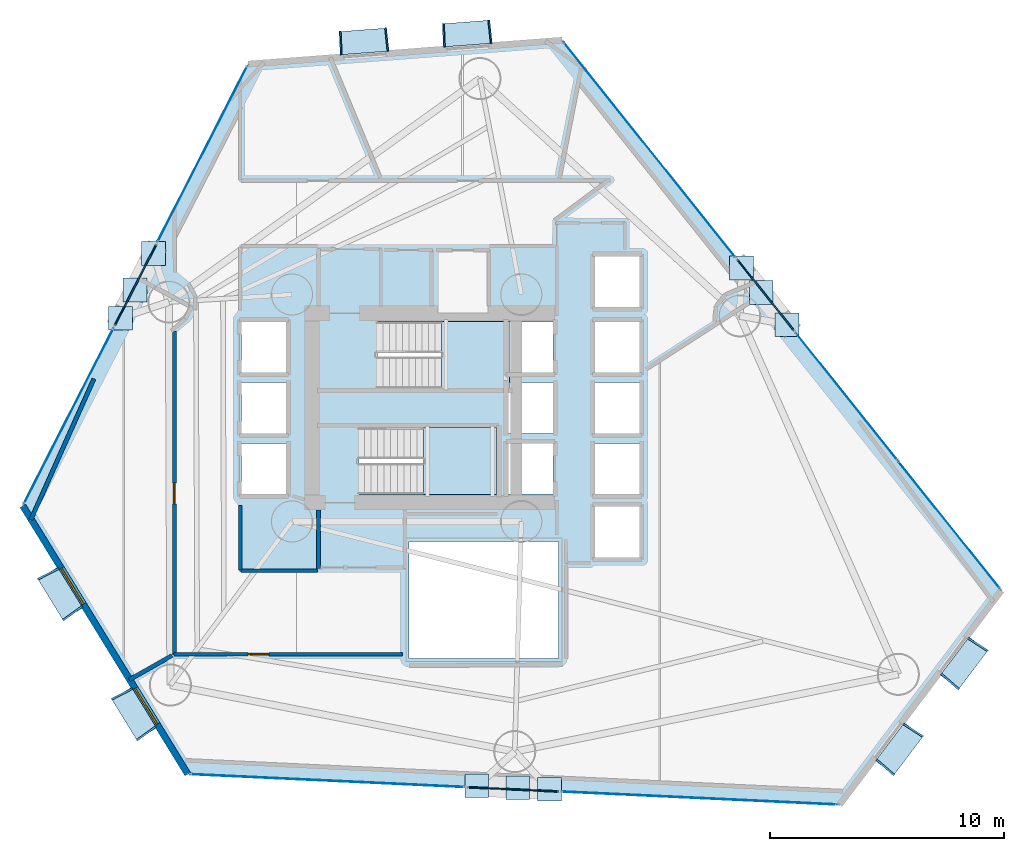
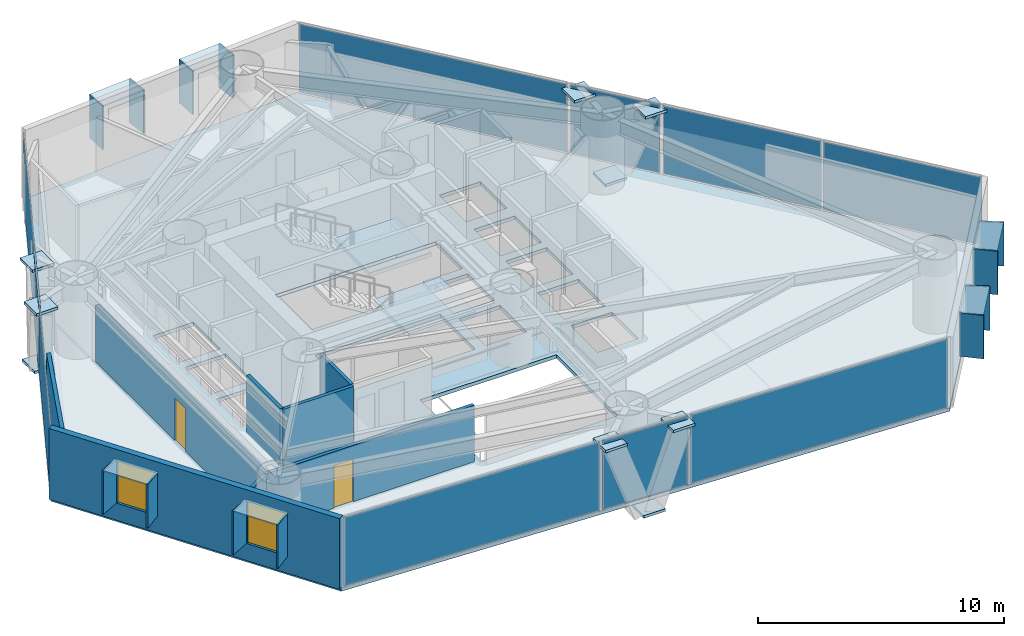
# One storey, part 16 of 23: 37 plates, 8 walls, 3 slabs, 2 doors, 2 windows, 4 openings, 11 elements without a shape of their own.
"""IFC4 building model written with IfcOpenShell, lengths in metres."""

from ifc_helpers import new_model, si_unit, direction, frame, frame_2d, origin, origin_2d, place, context, subcontext, project, spatial, polyline, rectangle, outline, extrude, material, layer, layer_set, type_object, element, fill, aggregate, save


model = new_model("IFC4")

# Units and contexts
model_context = context("Model", 3, precision=1e-05, world=origin(), true_north=direction((0.0, 1.0)))
body_context = subcontext(model_context, "Body", "Model", "MODEL_VIEW")
ifc_project = project(units=[si_unit("LENGTHUNIT", "METRE"), si_unit("AREAUNIT", "SQUARE_METRE"), si_unit("VOLUMEUNIT", "CUBIC_METRE"), si_unit("PLANEANGLEUNIT", "RADIAN"), si_unit("MASSUNIT", "GRAM", prefix="KILO")], contexts=[model_context])

# Site, building, storey
site_placement = place(None, origin())
site = spatial("IfcSite", under=ifc_project, at=site_placement, CompositionType="ELEMENT")
building_placement = place(site_placement, origin())
building = spatial("IfcBuilding", under=site, at=building_placement, Name="Qianvela Tower", CompositionType="ELEMENT")
storey_placement = place(building_placement, frame((0.0, 0.0, 33.10009765625)))
storey = spatial("IfcBuildingStorey", under=building, at=storey_placement, Name="L07", CompositionType="ELEMENT", Elevation=33.10009765625)

# Curtain wall, plate
ifc_material_1 = material(Name="Anodised Architectural Aluminium and Insulated Spandrel Panel", Category="aluminium")
ifc_layer_1 = layer(ifc_material_1, 0.179931640625)
ifc_layer_set_1 = layer_set([ifc_layer_1], Name="Anodised Architectural Aluminium and Insulated Spandrel Panel")
curtain_wall_type_1 = type_object("IfcCurtainWallType", Name="CW-BRACEBAY", PredefinedType="USERDEFINED", material=ifc_layer_set_1)
curtain_wall_1_placement = place(storey_placement, origin())
curtain_wall_1 = element("IfcCurtainWall", 1, at=curtain_wall_1_placement, inside=storey, type_object=curtain_wall_type_1, Name="L07 CW-BRACEBAY Curtain Wall 02B", ObjectType="CURTAIN_WALL_SYSTEM", PredefinedType="USERDEFINED")
ifc_material_2 = material(Name="Insulated Aluminium Spandrel Panel with Mineral-Wool Backpan", Category="aluminium")
ifc_layer_2 = layer(ifc_material_2, 0.06005859375)
ifc_layer_set_2 = layer_set([ifc_layer_2], Name="Insulated Aluminium Spandrel Panel with Mineral-Wool Backpan")
plate_type_1 = type_object("IfcPlateType", Name="CW-BRACEBAY-PNL", PredefinedType="CURTAIN_PANEL", material=ifc_layer_set_2)
plate_1_placement = place(storey_placement, frame((48.84326171875, 33.522705078125, 0.06494140625), z_axis=(0.0, 0.0, 1.0), x_axis=(-0.623974568634, 0.781444647879, 0.0)))
plate_1 = element("IfcPlate", 2, at=plate_1_placement, type_object=plate_type_1, Name="CW-9 panel 1.1", PredefinedType="CURTAIN_PANEL", context=body_context, shape_type="SweptSolid", body=[
    extrude(rectangle(XDim=3.89990234375, YDim=0.06005859375, at=origin_2d()), origin(), (0.0, 0.0, 1.0), 3.389892578125),
])
aggregate(curtain_wall_1, [plate_1])

curtain_wall_2_placement = place(storey_placement, origin())
curtain_wall_2 = element("IfcCurtainWall", 3, at=curtain_wall_2_placement, inside=storey, type_object=curtain_wall_type_1, Name="L07 CW-BRACEBAY Curtain Wall 04B", ObjectType="CURTAIN_WALL_SYSTEM", PredefinedType="USERDEFINED")
plate_2_placement = place(storey_placement, frame((21.912841796875, 33.95654296875, 0.06494140625), z_axis=(0.0, 0.0, 1.0), x_axis=(-0.454612576201, -0.890689286766, 0.0)))
plate_2 = element("IfcPlate", 4, at=plate_2_placement, type_object=plate_type_1, Name="CW-9 panel 1.1", PredefinedType="CURTAIN_PANEL", context=body_context, shape_type="SweptSolid", body=[
    extrude(rectangle(XDim=3.900146484375, YDim=0.06005859375, at=origin_2d()), origin(), (0.0, 0.0, 1.0), 3.389892578125),
])
aggregate(curtain_wall_2, [plate_2])

curtain_wall_3_placement = place(storey_placement, origin())
curtain_wall_3 = element("IfcCurtainWall", 5, at=curtain_wall_3_placement, inside=storey, type_object=curtain_wall_type_1, Name="L07 CW-BRACEBAY Curtain Wall 06B", ObjectType="CURTAIN_WALL_SYSTEM", PredefinedType="USERDEFINED")
plate_3_placement = place(storey_placement, frame((38.046142578125, 12.4013671875, 0.06494140625), z_axis=(0.0, 0.0, 1.0), x_axis=(0.998900045284, -0.046890292501, 0.0)))
plate_3 = element("IfcPlate", 6, at=plate_3_placement, type_object=plate_type_1, Name="CW-9 panel 1.1", PredefinedType="CURTAIN_PANEL", context=body_context, shape_type="SweptSolid", body=[
    extrude(rectangle(XDim=3.89013671875, YDim=0.06005859375, at=origin_2d()), origin(), (0.0, 0.0, 1.0), 3.389892578125),
])
aggregate(curtain_wall_3, [plate_3])

# Curtain wall, plates
ifc_material_3 = material(Name="Anodised Architectural Aluminium and Low-E Glass", Category="aluminium")
ifc_layer_3 = layer(ifc_material_3, 0.179931640625)
ifc_layer_set_3 = layer_set([ifc_layer_3], Name="Anodised Architectural Aluminium and Low-E Glass")
curtain_wall_type_2 = type_object("IfcCurtainWallType", Name="CW-COLIV-Z12", PredefinedType="USERDEFINED", material=ifc_layer_set_3)
curtain_wall_4_placement = place(storey_placement, origin())
curtain_wall_4 = element("IfcCurtainWall", 7, at=curtain_wall_4_placement, inside=storey, type_object=curtain_wall_type_2, Name="L07 CW-COLIV-Z12 Curtain Wall 02A", ObjectType="CURTAIN_WALL_SYSTEM", PredefinedType="USERDEFINED")
ifc_material_4 = material(Name="Double-Silver Low-E Insulated Glass", Category="glass")
ifc_layer_4 = layer(ifc_material_4, 0.030029296875)
ifc_layer_set_4 = layer_set([ifc_layer_4], Name="Double-Silver Low-E Insulated Glass")
plate_type_2 = type_object("IfcPlateType", Name="CW-COLIV-Z12-PNL", PredefinedType="CURTAIN_PANEL", material=ifc_layer_set_4)
plate_4_placement = place(storey_placement, frame((56.678955078125, 23.709716796875, 0.06494140625), z_axis=(0.0, 0.0, 1.0), x_axis=(-0.623977627371, 0.781442205502, 0.0)))
plate_4 = element("IfcPlate", 8, at=plate_4_placement, type_object=plate_type_2, Name="CW-3 panel 1.1", PredefinedType="CURTAIN_PANEL", context=body_context, shape_type="SweptSolid", body=[
    extrude(rectangle(XDim=6.93505859375, YDim=0.030029296875, at=origin_2d()), origin(), (0.0, 0.0, 1.0), 3.389892578125),
])
plate_5_placement = place(storey_placement, frame((52.307861328125, 29.183837890625, 0.06494140625), z_axis=(0.0, 0.0, 1.0), x_axis=(-0.623977627371, 0.781442205502, 0.0)))
plate_5 = element("IfcPlate", 9, at=plate_5_placement, type_object=plate_type_2, Name="CW-3 panel 2.1", PredefinedType="CURTAIN_PANEL", context=body_context, shape_type="SweptSolid", body=[
    extrude(rectangle(XDim=6.93505859375, YDim=0.030029296875, at=origin_2d()), origin(), (0.0, 0.0, 1.0), 3.389892578125),
])
aggregate(curtain_wall_4, [plate_4, plate_5])

# Curtain wall, plate
curtain_wall_5_placement = place(storey_placement, origin())
curtain_wall_5 = element("IfcCurtainWall", 10, at=curtain_wall_5_placement, inside=storey, type_object=curtain_wall_type_2, Name="L07 CW-COLIV-Z12 Curtain Wall 02C", ObjectType="CURTAIN_WALL_SYSTEM", PredefinedType="USERDEFINED")
plate_6_placement = place(storey_placement, frame((43.88232421875, 39.735595703125, 0.06494140625), z_axis=(0.0, 0.0, 1.0), x_axis=(-0.623972597732, 0.781446221617, 0.0)))
plate_6 = element("IfcPlate", 11, at=plate_6_placement, type_object=plate_type_2, Name="CW-3 panel 1.1", PredefinedType="CURTAIN_PANEL", context=body_context, shape_type="SweptSolid", body=[
    extrude(rectangle(XDim=11.731201171875, YDim=0.030029296875, at=origin_2d()), origin(), (0.0, 0.0, 1.0), 3.389892578125),
])
aggregate(curtain_wall_5, [plate_6])

curtain_wall_6_placement = place(storey_placement, origin())
curtain_wall_6 = element("IfcCurtainWall", 12, at=curtain_wall_6_placement, inside=storey, type_object=curtain_wall_type_2, Name="L07 CW-COLIV-Z12 Curtain Wall 04A", ObjectType="CURTAIN_WALL_SYSTEM", PredefinedType="USERDEFINED")
plate_7_placement = place(storey_placement, frame((24.767822265625, 39.550048828125, 0.06494140625), z_axis=(0.0, 0.0, 1.0), x_axis=(-0.454616698215, -0.890687182856, 0.0)))
plate_7 = element("IfcPlate", 13, at=plate_7_placement, type_object=plate_type_2, Name="CW-3 panel 1.1", PredefinedType="CURTAIN_PANEL", context=body_context, shape_type="SweptSolid", body=[
    extrude(rectangle(XDim=8.39013671875, YDim=0.030029296875, at=origin_2d()), origin(), (0.0, 0.0, 1.0), 3.389892578125),
])
aggregate(curtain_wall_6, [plate_7])

curtain_wall_7_placement = place(storey_placement, origin())
curtain_wall_7 = element("IfcCurtainWall", 14, at=curtain_wall_7_placement, inside=storey, type_object=curtain_wall_type_2, Name="L07 CW-COLIV-Z12 Curtain Wall 04C", ObjectType="CURTAIN_WALL_SYSTEM", PredefinedType="USERDEFINED")
plate_8_placement = place(storey_placement, frame((19.0576171875, 28.3623046875, 0.06494140625), z_axis=(0.0, 0.0, 1.0), x_axis=(-0.454615536474, -0.890687775821, 0.0)))
plate_8 = element("IfcPlate", 15, at=plate_8_placement, type_object=plate_type_2, Name="CW-3 panel 1.1", PredefinedType="CURTAIN_PANEL", context=body_context, shape_type="SweptSolid", body=[
    extrude(rectangle(XDim=8.391357421875, YDim=0.030029296875, at=origin_2d()), origin(), (0.0, 0.0, 1.0), 3.389892578125),
])
aggregate(curtain_wall_7, [plate_8])

curtain_wall_8_placement = place(storey_placement, origin())
curtain_wall_8 = element("IfcCurtainWall", 16, at=curtain_wall_8_placement, inside=storey, type_object=curtain_wall_type_2, Name="L07 CW-COLIV-Z12 Curtain Wall 06A", ObjectType="CURTAIN_WALL_SYSTEM", PredefinedType="USERDEFINED")
plate_9_placement = place(storey_placement, frame((30.114990234375, 12.773681640625, 0.06494140625), z_axis=(0.0, 0.0, 1.0), x_axis=(0.998900523109, -0.04688011233, 0.0)))
plate_9 = element("IfcPlate", 17, at=plate_9_placement, type_object=plate_type_2, Name="CW-3 panel 1.1", PredefinedType="CURTAIN_PANEL", context=body_context, shape_type="SweptSolid", body=[
    extrude(rectangle(XDim=11.719970703125, YDim=0.030029296875, at=origin_2d()), origin(), (0.0, 0.0, 1.0), 3.389892578125),
])
aggregate(curtain_wall_8, [plate_9])

curtain_wall_9_placement = place(storey_placement, origin())
curtain_wall_9 = element("IfcCurtainWall", 18, at=curtain_wall_9_placement, inside=storey, type_object=curtain_wall_type_2, Name="L07 CW-COLIV-Z12 Curtain Wall 06C", ObjectType="CURTAIN_WALL_SYSTEM", PredefinedType="USERDEFINED")
plate_10_placement = place(storey_placement, frame((46.001708984375, 12.02783203125, 0.06494140625), z_axis=(0.0, 0.0, 1.0), x_axis=(0.998900392556, -0.046882894011, 0.0)))
plate_10 = element("IfcPlate", 19, at=plate_10_placement, type_object=plate_type_2, Name="CW-3 panel 1.1", PredefinedType="CURTAIN_PANEL", context=body_context, shape_type="SweptSolid", body=[
    extrude(rectangle(XDim=11.768310546875, YDim=0.030029296875, at=origin_2d()), origin(), (0.0, 0.0, 1.0), 3.389892578125),
])
aggregate(curtain_wall_9, [plate_10])

# Plates
ifc_material_5 = material(Name="Steel Q420GJC", Category="steel")
ifc_layer_5 = layer(ifc_material_5, 0.1298828125)
ifc_layer_set_5 = layer_set([ifc_layer_5], Name="Steel Q420GJC")
plate_type_3 = type_object("IfcPlateType", Name="PT-ENDCAP-130", PredefinedType="USERDEFINED", material=ifc_layer_set_5)
for number, where, z_axis, x_axis, name in (
    (20, (49.75048828125, 32.258544921875, 3.159423828125), (0.0, 0.0, 1.0), (1.0, 0.0, 0.0), "L07 Hollow Section End Cap Plate B"),
    (21, (48.65673828125, 33.628173828125, -0.653564453125), (0.0, 0.0, 1.0), (1.0, 0.0, 0.0), "L07 Hollow Section End Cap Plate A"),
    (22, (47.812744140625, 34.685302734375, 3.159423828125), (0.0, 0.0, 1.0), (1.0, 0.0, 0.0), "L07 Hollow Section End Cap Plate B"),
    (23, (22.689453125, 35.30224609375, 3.159423828125), (0.0, 0.0, 1.0), (1.0, 0.0, 0.0), "L07 Hollow Section End Cap Plate B"),
    (24, (21.892578125, 33.7412109375, -0.653564453125), (0.0, 0.0, 1.0), (1.0, 0.0, 0.0), "L07 Hollow Section End Cap Plate A"),
    (25, (21.27783203125, 32.536376953125, 3.159423828125), (0.0, 0.0, 1.0), (1.0, 0.0, 0.0), "L07 Hollow Section End Cap Plate B"),
    (26, (36.4970703125, 12.55419921875, 3.159423828125), (0.0, 0.0, 1.0), (1.0, 0.0, 0.0), "L07 Hollow Section End Cap Plate B"),
    (27, (38.247802734375, 12.471923828125, -0.653564453125), (0.0, 0.0, 1.0), (1.0, 0.0, 0.0), "L07 Hollow Section End Cap Plate A"),
    (28, (39.598876953125, 12.40869140625, 3.159423828125), (0.0, 0.0, 1.0), (1.0, 0.0, 0.0), "L07 Hollow Section End Cap Plate B"),
):
    element("IfcPlate", number, at=place(storey_placement, frame(where, z_axis=z_axis, x_axis=x_axis)), inside=storey, type_object=plate_type_3, Name=name, ObjectType="END_CAP", PredefinedType="USERDEFINED", context=body_context, shape_type="SweptSolid", body=[
        extrude(rectangle(XDim=1.02001953125, YDim=1.02001953125, at=origin_2d()), origin(), (0.0, 0.0, 1.0), 0.1298828125),
    ])

# Slab
ifc_material_6 = material(Name="Concrete C40", Category="concrete")
ifc_layer_6 = layer(ifc_material_6, 0.179931640625)
ifc_layer_set_6 = layer_set([ifc_layer_6], Name="Concrete C40")
slab_type_1 = type_object("IfcSlabType", Name="SL-FLOOR-180", PredefinedType="FLOOR", material=ifc_layer_set_6)
slab_1_placement = place(storey_placement, frame((0.0, 0.0, -0.18017578125)))
element("IfcSlab", 29, at=slab_1_placement, inside=storey, type_object=slab_type_1, Name="L07 Composite Structural Floor Slab", PredefinedType="FLOOR", context=body_context, shape_type="SweptSolid", body=[
    extrude(outline(polyline([(51.999267578125, 11.74658203125), (58.91748046875, 20.90625), (40.1474609375, 44.4130859375), (26.7294921875, 43.393310546875), (17.095703125, 24.5185546875), (24.1416015625, 13.053955078125), (51.999267578125, 11.74658203125)]), holes=[polyline([(40.0, 23.0), (33.60009765625, 23.0), (33.60009765625, 18.0), (40.0, 18.0), (40.0, 23.0)]), polyline([(28.360107421875, 25.02001953125), (28.360107421875, 27.179931640625), (26.43994140625, 27.179931640625), (26.43994140625, 25.02001953125), (28.360107421875, 25.02001953125)]), polyline([(37.35009765625, 25.0), (37.35009765625, 27.860107421875), (31.469970703125, 27.860107421875), (31.469970703125, 25.0), (37.35009765625, 25.0)]), polyline([(28.360107421875, 27.6201171875), (28.360107421875, 29.780029296875), (26.43994140625, 29.780029296875), (26.43994140625, 27.6201171875), (28.360107421875, 27.6201171875)]), polyline([(37.89990234375, 32.3798828125), (37.89990234375, 32.39990234375), (32.25, 32.39990234375), (32.25, 29.5400390625), (37.840087890625, 29.5400390625), (37.840087890625, 27.6201171875), (39.760009765625, 27.6201171875), (39.760009765625, 29.780029296875), (37.89990234375, 29.780029296875), (37.89990234375, 30.219970703125), (39.760009765625, 30.219970703125), (39.760009765625, 32.3798828125), (37.89990234375, 32.3798828125)]), polyline([(28.360107421875, 30.219970703125), (28.360107421875, 32.3798828125), (26.43994140625, 32.3798828125), (26.43994140625, 30.219970703125), (28.360107421875, 30.219970703125)]), polyline([(43.4599609375, 24.47998046875), (41.5400390625, 24.47998046875), (41.5400390625, 22.320068359375), (43.4599609375, 22.320068359375), (43.4599609375, 24.47998046875)]), polyline([(39.760009765625, 25.02001953125), (39.760009765625, 27.179931640625), (37.840087890625, 27.179931640625), (37.840087890625, 25.02001953125), (39.760009765625, 25.02001953125)]), polyline([(43.4599609375, 25.02001953125), (43.4599609375, 27.179931640625), (41.5400390625, 27.179931640625), (41.5400390625, 25.02001953125), (43.4599609375, 25.02001953125)]), polyline([(43.4599609375, 27.6201171875), (43.4599609375, 29.780029296875), (41.5400390625, 29.780029296875), (41.5400390625, 27.6201171875), (43.4599609375, 27.6201171875)]), polyline([(43.4599609375, 30.219970703125), (43.4599609375, 32.3798828125), (41.5400390625, 32.3798828125), (41.5400390625, 30.219970703125), (43.4599609375, 30.219970703125)]), polyline([(43.4599609375, 33.02001953125), (43.4599609375, 35.179931640625), (41.5400390625, 35.179931640625), (41.5400390625, 33.02001953125), (43.4599609375, 33.02001953125)])]), origin(), (0.0, 0.0, 1.0), 0.18017578125),
])

# Stair, slab
ifc_material_7 = material(Name="Concrete C40", Category="concrete")
stair_type = type_object("IfcStairType", Name="ST-DOGLEG-1350-R168-N22", PredefinedType="HALF_TURN_STAIR", material=ifc_material_7)
stair_1_placement = place(storey_placement, origin())
stair_1 = element("IfcStair", 30, at=stair_1_placement, inside=storey, type_object=stair_type, Name="L07 Smoke-Proof Core Stair ST-1", PredefinedType="HALF_TURN_STAIR")
ifc_material_8 = material(Name="Concrete C40", Category="concrete")
ifc_layer_7 = layer(ifc_material_8, 0.199951171875)
ifc_layer_set_7 = layer_set([ifc_layer_7], Name="Concrete C40")
slab_type_2 = type_object("IfcSlabType", Name="SL-STAIR-LANDING-200", PredefinedType="LANDING", material=ifc_layer_set_7)
slab_2_placement = place(storey_placement, frame((0.0, 0.0, 1.64990234375)))
slab_2 = element("IfcSlab", 31, at=slab_2_placement, type_object=slab_type_2, Name="ST-1 landing 1", PredefinedType="LANDING", context=body_context, shape_type="SweptSolid", body=[
    extrude(outline(polyline([(35.0, 29.5400390625), (37.89990234375, 29.5400390625), (37.89990234375, 32.39990234375), (35.0, 32.39990234375), (35.0, 29.5400390625)])), origin(), (0.0, 0.0, 1.0), 0.199951171875),
])
aggregate(stair_1, [slab_2])

stair_2_placement = place(storey_placement, origin())
stair_2 = element("IfcStair", 32, at=stair_2_placement, inside=storey, type_object=stair_type, Name="L07 Smoke-Proof Core Stair ST-2", PredefinedType="HALF_TURN_STAIR")
slab_3_placement = place(storey_placement, frame((0.0, 0.0, 1.64990234375)))
slab_3 = element("IfcSlab", 33, at=slab_3_placement, type_object=slab_type_2, Name="ST-2 landing 1", PredefinedType="LANDING", context=body_context, shape_type="SweptSolid", body=[
    extrude(outline(polyline([(34.219970703125, 25.0), (37.35009765625, 25.0), (37.35009765625, 27.860107421875), (34.219970703125, 27.860107421875), (34.219970703125, 25.0)])), origin(), (0.0, 0.0, 1.0), 0.199951171875),
])
aggregate(stair_2, [slab_3])

# Plates
ifc_material_9 = material(Name="Vitrified Architectural Terracotta Panel", Category="masonry")
ifc_layer_8 = layer(ifc_material_9, 0.06494140625)
ifc_layer_set_8 = layer_set([ifc_layer_8], Name="Vitrified Architectural Terracotta Panel")
plate_type_4 = type_object("IfcPlateType", Name="TERRACOTTA-SUNSHADE-HOOD-FOLD-B", PredefinedType="USERDEFINED", material=ifc_layer_set_8)
for number, where, z_axis, x_axis, name in (
    (34, (36.076904296875, 44.700439453125, 2.9599609375), (0.0, 0.0, 1.0), (-0.997124879887, -0.07577581349, 0.0), "L07 Terracotta Sunshade Hood FOLD-B"),
    (35, (31.6669921875, 44.365234375, 2.9599609375), (0.0, 0.0, 1.0), (-0.997124879887, -0.07577581349, 0.0), "L07 Terracotta Sunshade Hood FOLD-B"),
):
    element("IfcPlate", number, at=place(storey_placement, frame(where, z_axis=z_axis, x_axis=x_axis)), inside=storey, type_object=plate_type_4, Name=name, ObjectType="SUNSHADE", PredefinedType="USERDEFINED", context=body_context, shape_type="SweptSolid", body=[
        extrude(rectangle(XDim=2.0400390625, YDim=0.989990234375, at=origin_2d()), origin(), (0.0, 0.0, 1.0), 0.06005859375),
    ])
ifc_material_10 = material(Name="Vitrified Architectural Terracotta Panel", Category="masonry")
ifc_layer_9 = layer(ifc_material_10, 0.074951171875)
ifc_layer_set_9 = layer_set([ifc_layer_9], Name="Vitrified Architectural Terracotta Panel")
plate_type_5 = type_object("IfcPlateType", Name="TERRACOTTA-SUNSHADE-HOOD-FOLD-D", PredefinedType="USERDEFINED", material=ifc_layer_set_9)
for number, where, z_axis, x_axis, name in (
    (36, (54.549560546875, 14.1357421875, 2.9599609375), (0.0, 0.0, 1.0), (0.602692804778, 0.797973297215, 0.0), "L07 Terracotta Sunshade Hood FOLD-D"),
    (37, (57.316650390625, 17.7998046875, 2.9599609375), (0.0, 0.0, 1.0), (0.602692804778, 0.797973297215, 0.0), "L07 Terracotta Sunshade Hood FOLD-D"),
    (38, (18.702392578125, 20.767578125, 2.9599609375), (0.0, 0.0, 1.0), (0.523599350611, -0.851964623702, 0.0), "L07 Terracotta Sunshade Hood FOLD-D"),
    (39, (21.85595703125, 15.636474609375, 2.9599609375), (0.0, 0.0, 1.0), (0.523599350611, -0.851964623702, 0.0), "L07 Terracotta Sunshade Hood FOLD-D"),
):
    element("IfcPlate", number, at=place(storey_placement, frame(where, z_axis=z_axis, x_axis=x_axis)), inside=storey, type_object=plate_type_5, Name=name, ObjectType="SUNSHADE", PredefinedType="USERDEFINED", context=body_context, shape_type="SweptSolid", body=[
        extrude(rectangle(XDim=2.0400390625, YDim=0.989990234375, at=origin_2d()), origin(), (0.0, 0.0, 1.0), 0.06005859375),
    ])
ifc_material_11 = material(Name="Vitrified Architectural Terracotta Side Fin Panel", Category="masonry")
ifc_layer_10 = layer(ifc_material_11, 0.070068359375)
ifc_layer_set_10 = layer_set([ifc_layer_10], Name="Vitrified Architectural Terracotta Side Fin Panel")
plate_type_6 = type_object("IfcPlateType", Name="TERRACOTTA-SUNSHADE-STRUT-FOLD-B", PredefinedType="USERDEFINED", material=ifc_layer_set_10)
for number, where, z_axis, x_axis, name in (
    (40, (37.064208984375, 44.775390625, 0.85009765625), (0.0, 0.0, 1.0), (-0.994345731025, -0.106191182273, 0.0), "L07 Terracotta Sunshade Side Fin HL FOLD-B"),
    (41, (35.08984375, 44.62548828125, 0.85009765625), (0.0, 0.0, 1.0), (-0.998973892387, -0.04528975964, 0.0), "L07 Terracotta Sunshade Side Fin HR FOLD-B"),
    (42, (32.654296875, 44.4404296875, 0.85009765625), (0.0, 0.0, 1.0), (-0.994345731025, -0.106191182273, 0.0), "L07 Terracotta Sunshade Side Fin HL FOLD-B"),
    (43, (30.679931640625, 44.290283203125, 0.85009765625), (0.0, 0.0, 1.0), (-0.998973892387, -0.04528975964, 0.0), "L07 Terracotta Sunshade Side Fin HR FOLD-B"),
):
    element("IfcPlate", number, at=place(storey_placement, frame(where, z_axis=z_axis, x_axis=x_axis)), inside=storey, type_object=plate_type_6, Name=name, ObjectType="SUNSHADE", PredefinedType="USERDEFINED", context=body_context, shape_type="SweptSolid", body=[
        extrude(rectangle(XDim=0.070068359375, YDim=1.010009765625, at=origin_2d()), origin(), (0.0, 0.0, 1.0), 2.159912109375),
    ])
ifc_material_12 = material(Name="Vitrified Architectural Terracotta Side Fin Panel", Category="masonry")
ifc_layer_11 = layer(ifc_material_12, 0.080078125)
ifc_layer_set_11 = layer_set([ifc_layer_11], Name="Vitrified Architectural Terracotta Side Fin Panel")
plate_type_7 = type_object("IfcPlateType", Name="TERRACOTTA-SUNSHADE-STRUT-FOLD-D", PredefinedType="USERDEFINED", material=ifc_layer_set_11)
for number, where, z_axis, x_axis, name in (
    (44, (53.952880859375, 13.345703125, 0.85009765625), (0.0, 0.0, 1.0), (0.660172107396, 0.751114364539, 0.0), "L07 Terracotta Sunshade Side Fin HL FOLD-D"),
    (45, (55.14599609375, 14.92578125, 0.85009765625), (0.0, 0.0, 1.0), (0.54189891485, 0.840443672166, 0.0), "L07 Terracotta Sunshade Side Fin HR FOLD-D"),
    (46, (56.72021484375, 17.009765625, 0.85009765625), (0.0, 0.0, 1.0), (0.660172107396, 0.751114364539, 0.0), "L07 Terracotta Sunshade Side Fin HL FOLD-D"),
    (47, (57.913330078125, 18.58984375, 0.85009765625), (0.0, 0.0, 1.0), (0.54189891485, 0.840443672166, 0.0), "L07 Terracotta Sunshade Side Fin HR FOLD-D"),
    (48, (18.18408203125, 21.611083984375, 0.85009765625), (0.0, 0.0, 1.0), (0.459021737352, -0.888425036026, 0.0), "L07 Terracotta Sunshade Side Fin HL FOLD-D"),
    (49, (19.220703125, 19.924072265625, 0.85009765625), (0.0, 0.0, 1.0), (0.585297361277, -0.810818721344, 0.0), "L07 Terracotta Sunshade Side Fin HR FOLD-D"),
    (50, (21.337646484375, 16.47998046875, 0.85009765625), (0.0, 0.0, 1.0), (0.459021737352, -0.888425036026, 0.0), "L07 Terracotta Sunshade Side Fin HL FOLD-D"),
    (51, (22.374267578125, 14.79296875, 0.85009765625), (0.0, 0.0, 1.0), (0.585297361277, -0.810818721344, 0.0), "L07 Terracotta Sunshade Side Fin HR FOLD-D"),
):
    element("IfcPlate", number, at=place(storey_placement, frame(where, z_axis=z_axis, x_axis=x_axis)), inside=storey, type_object=plate_type_7, Name=name, ObjectType="SUNSHADE", PredefinedType="USERDEFINED", context=body_context, shape_type="SweptSolid", body=[
        extrude(rectangle(XDim=0.080078125, YDim=1.010009765625, at=origin_2d()), origin(), (0.0, 0.0, 1.0), 2.159912109375),
    ])

# Wall, openings, windows
ifc_material_13 = material(Name="Terracotta Cladding on Concrete C40", Category="masonry")
ifc_layer_12 = layer(ifc_material_13, 0.280029296875)
ifc_layer_set_12 = layer_set([ifc_layer_12], Name="Terracotta Cladding on Concrete C40")
wall_type_1 = type_object("IfcWallType", Name="TERRACOTTA-WALL-280", PredefinedType="SOLIDWALL", material=ifc_layer_set_12)
wall_1_placement = place(storey_placement, frame((17.095703125, 24.5185546875, 0.0), z_axis=(0.0, 0.0, 1.0), x_axis=(0.523599306322, -0.851964650921, 0.0)))
wall_1 = element("IfcWall", 52, at=wall_1_placement, inside=storey, type_object=wall_type_1, Name="L07 Terracotta Chamfer Facet Wall 5", PredefinedType="SOLIDWALL", context=body_context, shape_type="SweptSolid", body=[
    extrude(rectangle(XDim=13.45654296875, YDim=0.280029296875, at=frame_2d((6.728271484375, 0.0))), origin(), (0.0, 0.0, 1.0), 3.52001953125),
])
opening_1_placement = place(wall_1_placement, frame((3.136962890625, 0.0, 0.85009765625)))
opening_1 = element("IfcOpeningElement", 53, at=opening_1_placement, cuts=wall_1, Name="Opening W-01", PredefinedType="OPENING", context=body_context, shape_type="SweptSolid", body=[
    extrude(rectangle(XDim=1.800048828125, YDim=2.10009765625, at=frame_2d((0.89990234375, 1.050048828125))), frame((0.0, 0.14990234375, 0.0), z_axis=(0.0, -1.0, 0.0), x_axis=(1.0, 0.0, 0.0)), (0.0, 0.0, 1.0), 0.300048828125),
])
opening_2_placement = place(wall_1_placement, frame((9.15966796875, 0.0, 0.85009765625)))
opening_2 = element("IfcOpeningElement", 54, at=opening_2_placement, cuts=wall_1, Name="Opening W-01", PredefinedType="OPENING", context=body_context, shape_type="SweptSolid", body=[
    extrude(rectangle(XDim=1.800048828125, YDim=2.10009765625, at=frame_2d((0.89990234375, 1.050048828125))), frame((0.0, 0.14990234375, 0.0), z_axis=(0.0, -1.0, 0.0), x_axis=(1.0, 0.0, 0.0)), (0.0, 0.0, 1.0), 0.300048828125),
])
ifc_material_14 = material(Name="Thermally Broken Aluminium and Low-E Glass", Category="aluminium")
window_type = type_object("IfcWindowType", Name="WIN-TC-1800x2100", PartitioningType="DOUBLE_PANEL_VERTICAL", PredefinedType="WINDOW", material=ifc_material_14)
window_1_placement = place(opening_1_placement, origin())
window_1 = element("IfcWindow", 55, at=window_1_placement, inside=storey, type_object=window_type, Name="L07 Chamfer Facet Window 5.1", OverallHeight=2.10009765625, OverallWidth=1.800048828125, PartitioningType="SINGLE_PANEL", PredefinedType="WINDOW", context=body_context, shape_type="SweptSolid", body=[
    extrude(rectangle(XDim=1.800048828125, YDim=2.10009765625, at=frame_2d((0.89990234375, 1.050048828125))), frame((0.0, 0.030029296875, 0.0), z_axis=(0.0, -1.0, 0.0), x_axis=(1.0, 0.0, 0.0)), (0.0, 0.0, 1.0), 0.06005859375),
])
fill(opening_1, window_1)
window_2_placement = place(opening_2_placement, origin())
window_2 = element("IfcWindow", 56, at=window_2_placement, inside=storey, type_object=window_type, Name="L07 Chamfer Facet Window 5.2", OverallHeight=2.10009765625, OverallWidth=1.800048828125, PartitioningType="SINGLE_PANEL", PredefinedType="WINDOW", context=body_context, shape_type="SweptSolid", body=[
    extrude(rectangle(XDim=1.800048828125, YDim=2.10009765625, at=frame_2d((0.89990234375, 1.050048828125))), frame((0.0, 0.030029296875, 0.0), z_axis=(0.0, -1.0, 0.0), x_axis=(1.0, 0.0, 0.0)), (0.0, 0.0, 1.0), 0.06005859375),
])
fill(opening_2, window_2)

# Walls
ifc_material_15 = material(Name="Fire-Rated Gypsum and Concrete Block", Category="concrete")
ifc_layer_13 = layer(ifc_material_15, 0.159912109375)
ifc_layer_set_13 = layer_set([ifc_layer_13], Name="Fire-Rated Gypsum and Concrete Block")
wall_type_2 = type_object("IfcWallType", Name="WT-CORR-160", PredefinedType="PARTITIONING", material=ifc_layer_set_13)
wall_2_placement = place(storey_placement, frame((29.73095703125, 21.85009765625, 0.0), z_axis=(0.0, 0.0, 1.0), x_axis=(0.0, 1.0, 0.0)))
element("IfcWall", 57, at=wall_2_placement, inside=storey, type_object=wall_type_2, Name="L07 Partition 6", PredefinedType="PARTITIONING", context=body_context, shape_type="SweptSolid", body=[
    extrude(rectangle(XDim=2.491943359375, YDim=0.159912109375, at=frame_2d((1.24609375, 0.0))), origin(), (0.0, 0.0, 1.0), 2.83984375),
])
wall_3_placement = place(storey_placement, frame((26.388916015625, 24.530517578125, 0.0), z_axis=(0.0, 0.0, 1.0), x_axis=(0.0, -1.0, 0.0)))
element("IfcWall", 58, at=wall_3_placement, inside=storey, type_object=wall_type_2, Name="L07 Partition 49", PredefinedType="PARTITIONING", context=body_context, shape_type="SweptSolid", body=[
    extrude(rectangle(XDim=2.75048828125, YDim=0.159912109375, at=frame_2d((1.375244140625, 0.0))), origin(), (0.0, 0.0, 1.0), 2.83984375),
])
wall_4_placement = place(storey_placement, frame((26.419921875, 21.7490234375, 0.0), z_axis=(0.0, 0.0, 1.0), x_axis=(1.0, 0.0, 0.0)))
element("IfcWall", 59, at=wall_4_placement, inside=storey, type_object=wall_type_2, Name="L07 Partition 50 seg 1", PredefinedType="PARTITIONING", context=body_context, shape_type="SweptSolid", body=[
    extrude(rectangle(XDim=3.280029296875, YDim=0.159912109375, at=frame_2d((1.64013671875, 0.0))), origin(), (0.0, 0.0, 1.0), 2.83984375),
])

# Wall, opening, door
wall_5_placement = place(storey_placement, frame((33.320068359375, 18.180908203125, 0.0), z_axis=(0.0, 0.0, 1.0), x_axis=(-1.0, 0.0, 0.0)))
wall_5 = element("IfcWall", 60, at=wall_5_placement, inside=storey, type_object=wall_type_2, Name="L07 Partition 51", PredefinedType="PARTITIONING", context=body_context, shape_type="SweptSolid", body=[
    extrude(rectangle(XDim=9.77001953125, YDim=0.159912109375, at=frame_2d((4.885009765625, 0.0))), origin(), (0.0, 0.0, 1.0), 2.7978515625),
])
opening_3_placement = place(wall_5_placement, frame((5.695068359375, 0.0, 0.0)))
opening_3 = element("IfcOpeningElement", 61, at=opening_3_placement, cuts=wall_5, Name="Opening D-KT1", PredefinedType="OPENING", context=body_context, shape_type="SweptSolid", body=[
    extrude(rectangle(XDim=0.89990234375, YDim=2.10009765625, at=frame_2d((0.449951171875, 1.050048828125))), frame((0.0, 0.08984375, 0.0), z_axis=(0.0, -1.0, 0.0), x_axis=(1.0, 0.0, 0.0)), (0.0, 0.0, 1.0), 0.179931640625),
])
ifc_material_16 = material(Name="Glazed Timber Kitchen Door", Category="wood")
door_type = type_object("IfcDoorType", Name="DT-KITCH-900", OperationType="NOTDEFINED", PredefinedType="DOOR", material=ifc_material_16)
door_1_placement = place(opening_3_placement, origin())
door_1 = element("IfcDoor", 62, at=door_1_placement, inside=storey, type_object=door_type, Name="L07 Door Student Tea Pantry L07-02 to L07 Floor Corridor", OperationType="SINGLE_SWING_LEFT", OverallHeight=2.10009765625, OverallWidth=0.89990234375, PredefinedType="DOOR", context=body_context, shape_type="SweptSolid", body=[
    extrude(rectangle(XDim=0.89990234375, YDim=2.10009765625, at=frame_2d((0.449951171875, 1.050048828125))), frame((0.0, 0.02490234375, 0.0), z_axis=(0.0, -1.0, 0.0), x_axis=(1.0, 0.0, 0.0)), (0.0, 0.0, 1.0), 0.050048828125),
])
fill(opening_3, door_1)

wall_6_placement = place(storey_placement, frame((23.5810546875, 18.14990234375, 0.0), z_axis=(0.0, 0.0, 1.0), x_axis=(0.0, 1.0, 0.0)))
wall_6 = element("IfcWall", 63, at=wall_6_placement, inside=storey, type_object=wall_type_2, Name="L07 Partition 52", PredefinedType="PARTITIONING", context=body_context, shape_type="SweptSolid", body=[
    extrude(rectangle(XDim=13.810302734375, YDim=0.159912109375, at=frame_2d((6.9052734375, 0.0))), origin(), (0.0, 0.0, 1.0), 2.7978515625),
])
opening_4_placement = place(wall_6_placement, frame((6.455078125, 0.0, 0.0)))
opening_4 = element("IfcOpeningElement", 64, at=opening_4_placement, cuts=wall_6, Name="Opening D-KT1", PredefinedType="OPENING", context=body_context, shape_type="SweptSolid", body=[
    extrude(rectangle(XDim=0.89990234375, YDim=2.10009765625, at=frame_2d((0.449951171875, 1.050048828125))), frame((0.0, 0.08984375, 0.0), z_axis=(0.0, -1.0, 0.0), x_axis=(1.0, 0.0, 0.0)), (0.0, 0.0, 1.0), 0.179931640625),
])
door_2_placement = place(opening_4_placement, origin())
door_2 = element("IfcDoor", 65, at=door_2_placement, inside=storey, type_object=door_type, Name="L07 Door Shared Communal Kitchen L07-01 to L07 Floor Corridor", OperationType="SINGLE_SWING_RIGHT", OverallHeight=2.10009765625, OverallWidth=0.89990234375, PredefinedType="DOOR", context=body_context, shape_type="SweptSolid", body=[
    extrude(rectangle(XDim=0.89990234375, YDim=2.10009765625, at=frame_2d((0.449951171875, 1.050048828125))), frame((0.0, 0.02490234375, 0.0), z_axis=(0.0, -1.0, 0.0), x_axis=(1.0, 0.0, 0.0)), (0.0, 0.0, 1.0), 0.050048828125),
])
fill(opening_4, door_2)

# Walls
ifc_material_17 = material(Name="Moisture-Resistant Acoustic Plumbing Wall")
ifc_layer_14 = layer(ifc_material_17, 0.175048828125)
ifc_layer_set_14 = layer_set([ifc_layer_14], Name="Moisture-Resistant Acoustic Plumbing Wall")
wall_type_3 = type_object("IfcWallType", Name="WT-PLUMB-175", PredefinedType="PLUMBINGWALL", material=ifc_layer_set_14)
wall_7_placement = place(storey_placement, frame((23.47509765625, 18.123779296875, 0.0), z_axis=(0.0, 0.0, 1.0), x_axis=(-0.869707412207, -0.493567641921, 0.0)))
element("IfcWall", 66, at=wall_7_placement, inside=storey, type_object=wall_type_3, Name="L07 Partition 59", PredefinedType="PLUMBINGWALL", context=body_context, shape_type="SweptSolid", body=[
    extrude(rectangle(XDim=2.108154296875, YDim=0.175048828125, at=frame_2d((1.05419921875, 0.0))), origin(), (0.0, 0.0, 1.0), 2.7978515625),
])
wall_8_placement = place(storey_placement, frame((17.439697265625, 23.92578125, 0.0), z_axis=(0.0, 0.0, 1.0), x_axis=(0.408664735251, 0.912684575394, 0.0)))
element("IfcWall", 67, at=wall_8_placement, inside=storey, type_object=wall_type_3, Name="L07 Partition 61 seg 1", PredefinedType="PLUMBINGWALL", context=body_context, shape_type="SweptSolid", body=[
    extrude(rectangle(XDim=6.595458984375, YDim=0.175048828125, at=frame_2d((3.2978515625, 0.0))), origin(), (0.0, 0.0, 1.0), 2.83984375),
])

save(model, "model.ifc")
